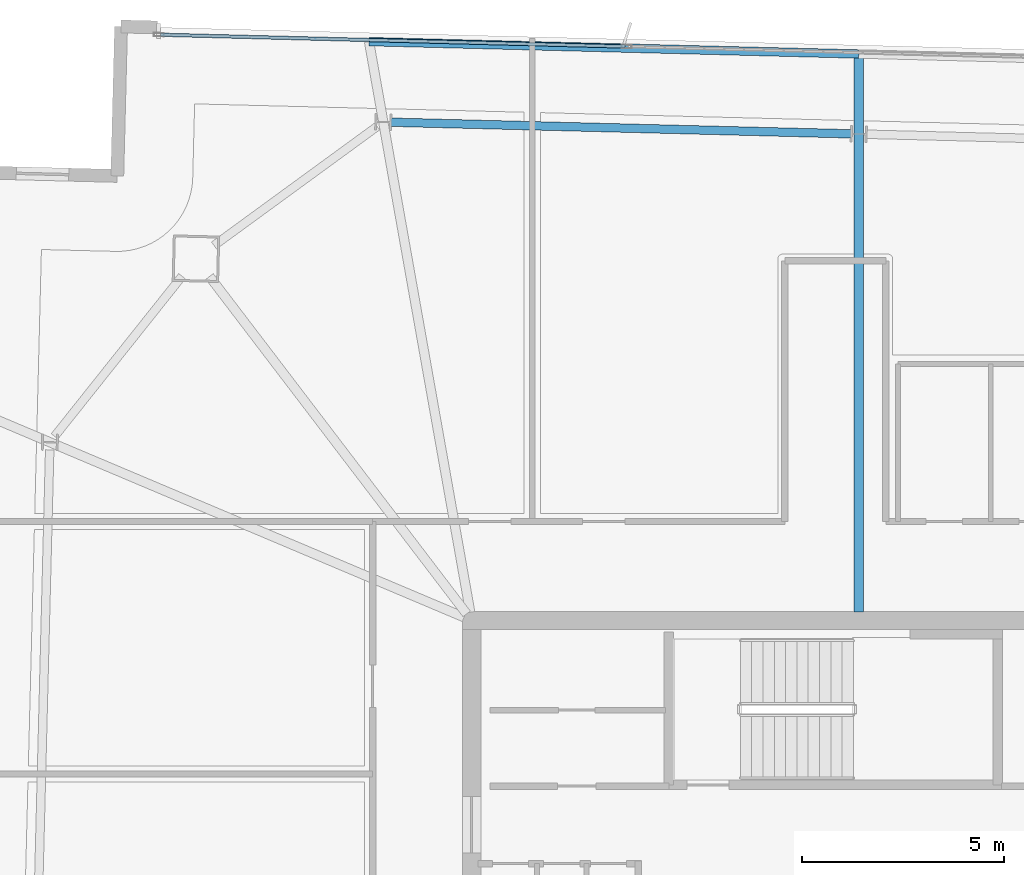
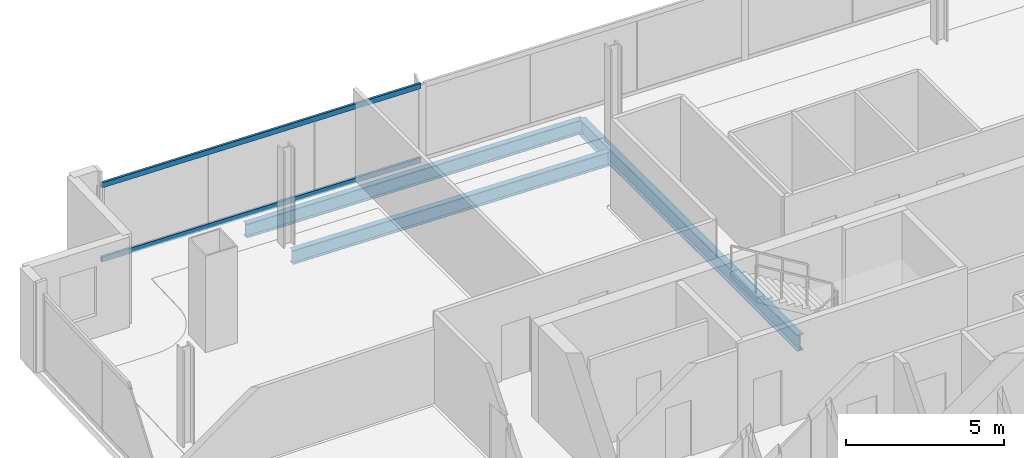
# One storey, part 14 of 25: 3 beams, 2 members, 1 element without a shape of its own.
"""IFC4 building model written with IfcOpenShell, lengths in metres."""

from ifc_helpers import new_model, si_unit, direction, frame, origin, origin_2d, place, context, subcontext, project, spatial, hollow_rectangle, i_section, extrude, material, material_profile, profile_set, type_object, element, aggregate, save


model = new_model("IFC4")

# Units and contexts
model_context = context("Model", 3, precision=1e-05, world=origin(), true_north=direction((0.0, 1.0)))
body_context = subcontext(model_context, "Body", "Model", "MODEL_VIEW")
ifc_project = project(units=[si_unit("LENGTHUNIT", "METRE"), si_unit("AREAUNIT", "SQUARE_METRE"), si_unit("VOLUMEUNIT", "CUBIC_METRE"), si_unit("PLANEANGLEUNIT", "RADIAN"), si_unit("MASSUNIT", "GRAM", prefix="KILO")], contexts=[model_context])

# Site, building, storey
site_placement = place(None, origin())
site = spatial("IfcSite", under=ifc_project, at=site_placement, CompositionType="ELEMENT")
building_placement = place(site_placement, origin())
building = spatial("IfcBuilding", under=site, at=building_placement, Name="Haldenkirk Collegiate Tower", CompositionType="ELEMENT")
storey_placement = place(building_placement, frame((0.0, 0.0, 325.199951171875)))
storey = spatial("IfcBuildingStorey", under=building, at=storey_placement, Name="L82", CompositionType="ELEMENT", Elevation=325.199951171875)

# Beams
ifc_material_1 = material(Name="Steel ASTM A992 Grade 50", Category="steel")
ifc_material_profile_1 = material_profile(ifc_material_1, i_section(OverallWidth=0.22998046875, OverallDepth=0.616943359375, WebThickness=0.01318359375, FlangeThickness=0.022216796875, at=origin_2d()), Name="W24X94")
ifc_profile_set_1 = profile_set([ifc_material_profile_1], Name="Steel ASTM A992 Grade 50")
beam_type_1 = type_object("IfcBeamType", Name="BM-GIRDER-W24X94", PredefinedType="BEAM", material=ifc_profile_set_1)
beam_1_placement = place(storey_placement, frame((36.582275390625, 48.022216796875, -0.568359375), z_axis=(0.0, -1.0, 0.0), x_axis=(1.0, 0.0, 0.0)))
element("IfcBeam", 1, at=beam_1_placement, inside=storey, type_object=beam_type_1, Name="L82 primary floor girder 09", PredefinedType="BEAM", context=body_context, shape_type="SweptSolid", body=[
    extrude(i_section(OverallWidth=0.22998046875, OverallDepth=0.616943359375, WebThickness=0.01318359375, FlangeThickness=0.022216796875, at=origin_2d()), origin(), (0.0, 0.0, 1.0), 13.817138671875),
])
ifc_material_profile_2 = material_profile(ifc_material_1, i_section(OverallWidth=0.2099609375, OverallDepth=0.537109375, WebThickness=0.010986328125, FlangeThickness=0.017333984375, at=origin_2d()), Name="W21X68")
ifc_profile_set_2 = profile_set([ifc_material_profile_2], Name="Steel ASTM A992 Grade 50")
beam_type_2 = type_object("IfcBeamType", Name="BM-SPANDREL-W21X68", PredefinedType="SPANDREL", material=ifc_profile_set_2)
beam_2_placement = place(storey_placement, frame((36.394287109375, 46.04638671875, -0.528564453125), z_axis=(-0.999680042221, 0.02529452876, 0.0), x_axis=(-0.02529452876, -0.999680042221, 0.0)))
element("IfcBeam", 2, at=beam_2_placement, inside=storey, type_object=beam_type_2, Name="L82 perimeter spandrel beam 07", PredefinedType="SPANDREL", context=body_context, shape_type="SweptSolid", body=[
    extrude(i_section(OverallWidth=0.2099609375, OverallDepth=0.537109375, WebThickness=0.010986328125, FlangeThickness=0.017333984375, at=origin_2d()), origin(), (0.0, 0.0, 1.0), 11.39892578125),
])
beam_3_placement = place(storey_placement, frame((36.582275390625, 48.022216796875, -0.528564453125), z_axis=(-0.999679802085, 0.025304017544, 0.0), x_axis=(-0.025304017544, -0.999679802085, 0.0)))
element("IfcBeam", 3, at=beam_3_placement, inside=storey, type_object=beam_type_2, Name="L82 outer facade edge beam 2B", PredefinedType="SPANDREL", context=body_context, shape_type="SweptSolid", body=[
    extrude(i_section(OverallWidth=0.2099609375, OverallDepth=0.537109375, WebThickness=0.010986328125, FlangeThickness=0.017333984375, at=origin_2d()), origin(), (0.0, 0.0, 1.0), 12.1279296875),
])

# Curtain wall, members
ifc_material_2 = material(Name="Anodised architectural bronze aluminium", Category="aluminium")
curtain_wall_type = type_object("IfcCurtainWallType", Name="CW-SYS1B-CONVEX-HI", PredefinedType="USERDEFINED", material=ifc_material_2)
curtain_wall_placement = place(storey_placement, origin())
curtain_wall = element("IfcCurtainWall", 4, at=curtain_wall_placement, inside=storey, type_object=curtain_wall_type, Name="L82 Upper tower high-wind convex bronze unitised curtain wall", ObjectType="UNITISED CURTAIN WALL", PredefinedType="USERDEFINED")
ifc_material_profile_3 = material_profile(ifc_material_2, hollow_rectangle(XDim=0.0849609375, YDim=0.199951171875, WallThickness=0.0048828125, at=origin_2d()), Name="CW-TRN-1B")
ifc_profile_set_3 = profile_set([ifc_material_profile_3], Name="Anodised architectural bronze aluminium")
member_type = type_object("IfcMemberType", Name="CW-TRN-1B", PredefinedType="USERDEFINED", material=ifc_profile_set_3)
member_1_placement = place(storey_placement, frame((19.299072265625, 48.499755859375, 0.04248046875), z_axis=(0.999680147968, -0.025290349128, 0.0), x_axis=(0.025290349128, 0.999680147968, 0.0)))
member_1 = element("IfcMember", 5, at=member_1_placement, type_object=member_type, Name="CW-1B transom 1.1", ObjectType="TRANSOM", PredefinedType="USERDEFINED", context=body_context, shape_type="SweptSolid", body=[
    extrude(hollow_rectangle(XDim=0.0849609375, YDim=0.199951171875, WallThickness=0.0048828125, at=origin_2d()), origin(), (0.0, 0.0, 1.0), 11.497314453125),
])
member_2_placement = place(storey_placement, frame((19.299072265625, 48.499755859375, 2.905517578125), z_axis=(0.999680147968, -0.025290349128, 0.0), x_axis=(0.025290349128, 0.999680147968, 0.0)))
member_2 = element("IfcMember", 6, at=member_2_placement, type_object=member_type, Name="CW-1B transom 1.2", ObjectType="TRANSOM", PredefinedType="USERDEFINED", context=body_context, shape_type="SweptSolid", body=[
    extrude(hollow_rectangle(XDim=0.0849609375, YDim=0.199951171875, WallThickness=0.0048828125, at=origin_2d()), origin(), (0.0, 0.0, 1.0), 11.497314453125),
])
aggregate(curtain_wall, [member_1, member_2])

save(model, "model.ifc")
